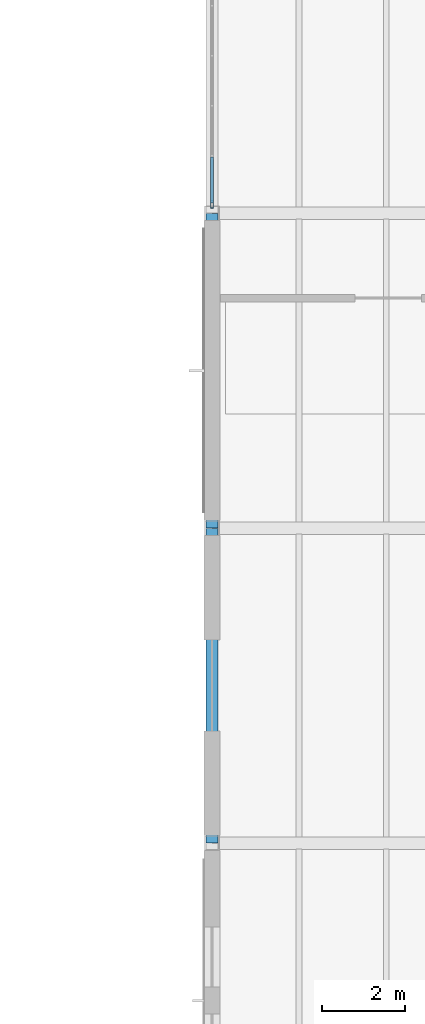
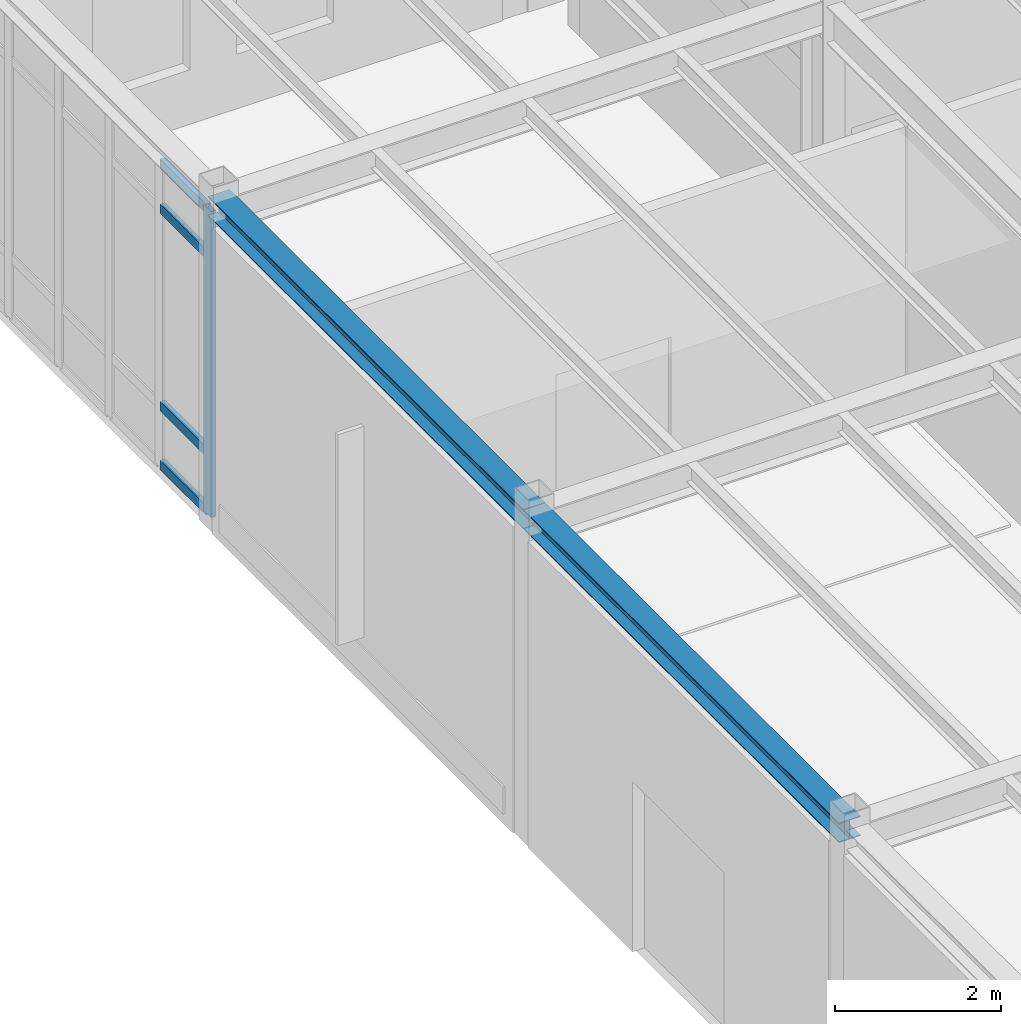
# One storey, part 56 of 109: 5 members, 2 beams, 1 element without a shape of its own.
"""IFC4 building model written with IfcOpenShell, lengths in metres."""

from ifc_helpers import new_model, si_unit, direction, frame, origin, origin_2d, place, context, subcontext, project, spatial, hollow_rectangle, i_section, extrude, material, layer, layer_set, material_profile, profile_set, type_object, element, aggregate, save


model = new_model("IFC4")

# Units and contexts
model_context = context("Model", 3, precision=1e-05, world=origin(), true_north=direction((0.0, 1.0)))
body_context = subcontext(model_context, "Body", "Model", "MODEL_VIEW")
ifc_project = project(units=[si_unit("LENGTHUNIT", "METRE"), si_unit("AREAUNIT", "SQUARE_METRE"), si_unit("VOLUMEUNIT", "CUBIC_METRE"), si_unit("PLANEANGLEUNIT", "RADIAN"), si_unit("MASSUNIT", "GRAM", prefix="KILO")], contexts=[model_context])

# Site, building, storey
site_placement = place(None, origin())
site = spatial("IfcSite", under=ifc_project, at=site_placement, CompositionType="ELEMENT")
building_placement = place(site_placement, origin())
building = spatial("IfcBuilding", under=site, at=building_placement, Name="Montecoro Central Library", CompositionType="ELEMENT")
storey_placement = place(building_placement, origin())
storey = spatial("IfcBuildingStorey", under=building, at=storey_placement, Name="L00", CompositionType="ELEMENT", Elevation=0.0)

# Beams
ifc_material_1 = material(Name="Steel S355", Category="steel")
ifc_material_profile_1 = material_profile(ifc_material_1, i_section(OverallWidth=0.300048828125, OverallDepth=0.2900390625, WebThickness=0.008544921875, FlangeThickness=0.013916015625, at=origin_2d()), Name="HEA 300")
ifc_profile_set_1 = profile_set([ifc_material_profile_1], Name="Steel S355")
beam_type = type_object("IfcBeamType", Name="BM-SP-HEA300", PredefinedType="SPANDREL", material=ifc_profile_set_1)
beam_1_placement = place(storey_placement, frame((66.39990234375, 96.205078125, 4.699951171875), z_axis=(0.0, 1.0, 0.0), x_axis=(-1.0, 0.0, 0.0)))
element("IfcBeam", 1, at=beam_1_placement, inside=storey, type_object=beam_type, Name="V2-L00-BY-9-NP", PredefinedType="SPANDREL", context=body_context, shape_type="SweptSolid", body=[
    extrude(i_section(OverallWidth=0.300048828125, OverallDepth=0.2900390625, WebThickness=0.008544921875, FlangeThickness=0.013916015625, at=origin_2d()), origin(), (0.0, 0.0, 1.0), 7.58984375),
])
beam_2_placement = place(storey_placement, frame((66.39990234375, 103.804931640625, 4.699951171875), z_axis=(0.0, 1.0, 0.0), x_axis=(-1.0, 0.0, 0.0)))
element("IfcBeam", 2, at=beam_2_placement, inside=storey, type_object=beam_type, Name="V2-L00-BY-9-PQ", PredefinedType="SPANDREL", context=body_context, shape_type="SweptSolid", body=[
    extrude(i_section(OverallWidth=0.300048828125, OverallDepth=0.2900390625, WebThickness=0.008544921875, FlangeThickness=0.013916015625, at=origin_2d()), origin(), (0.0, 0.0, 1.0), 7.590087890625),
])

# Curtain wall, members
ifc_material_2 = material(Name="Bronze-anodised aluminium and low-E glazing", Category="aluminium")
ifc_layer = layer(ifc_material_2, 0.159912109375)
ifc_layer_set = layer_set([ifc_layer], Name="Bronze-anodised aluminium and low-E glazing")
curtain_wall_type = type_object("IfcCurtainWallType", Name="CWT-009", PredefinedType="NOTDEFINED", material=ifc_layer_set)
curtain_wall_placement = place(storey_placement, origin())
curtain_wall = element("IfcCurtainWall", 3, at=curtain_wall_placement, inside=storey, type_object=curtain_wall_type, Name="V2-L00-CW-W4", PredefinedType="NOTDEFINED")
ifc_material_3 = material(Name="Bronze-anodised aluminium", Category="aluminium")
ifc_material_profile_2 = material_profile(ifc_material_3, hollow_rectangle(XDim=0.070068359375, YDim=0.179931640625, WallThickness=0.0048828125, at=origin_2d()), Name="CWM 180x70x5.0")
ifc_profile_set_2 = profile_set([ifc_material_profile_2], Name="Bronze-anodised aluminium")
member_type_1 = type_object("IfcMemberType", Name="CWM-BRZ-70", PredefinedType="MULLION", material=ifc_profile_set_2)
member_1_placement = place(storey_placement, frame((66.39990234375, 111.613037109375, 0.0), z_axis=(0.0, 0.0, 1.0), x_axis=(1.0, 0.0, 0.0)))
member_1 = element("IfcMember", 4, at=member_1_placement, type_object=member_type_1, Name="CW-009 mullion 7", PredefinedType="MULLION", context=body_context, shape_type="SweptSolid", body=[
    extrude(hollow_rectangle(XDim=0.070068359375, YDim=0.179931640625, WallThickness=0.0048828125, at=origin_2d()), origin(), (0.0, 0.0, 1.0), 4.5),
])
ifc_material_profile_3 = material_profile(ifc_material_3, hollow_rectangle(XDim=0.070068359375, YDim=0.139892578125, WallThickness=0.00390625, at=origin_2d()), Name="CWT 140x70x4.0")
ifc_profile_set_3 = profile_set([ifc_material_profile_3], Name="Bronze-anodised aluminium")
member_type_2 = type_object("IfcMemberType", Name="CWT-BRZ-70", PredefinedType="USERDEFINED", material=ifc_profile_set_3)
member_2_placement = place(storey_placement, frame((66.39990234375, 112.750244140625, 0.034912109375), z_axis=(0.0, -1.0, 0.0), x_axis=(1.0, 0.0, 0.0)))
member_2 = element("IfcMember", 5, at=member_2_placement, type_object=member_type_2, Name="CW-009 transom 6.1", ObjectType="TRANSOM", PredefinedType="USERDEFINED", context=body_context, shape_type="SweptSolid", body=[
    extrude(hollow_rectangle(XDim=0.070068359375, YDim=0.139892578125, WallThickness=0.00390625, at=origin_2d()), origin(), (0.0, 0.0, 1.0), 1.102294921875),
])
member_3_placement = place(storey_placement, frame((66.39990234375, 112.750244140625, 0.89990234375), z_axis=(0.0, -1.0, 0.0), x_axis=(1.0, 0.0, 0.0)))
member_3 = element("IfcMember", 6, at=member_3_placement, type_object=member_type_2, Name="CW-009 transom 6.2", ObjectType="TRANSOM", PredefinedType="USERDEFINED", context=body_context, shape_type="SweptSolid", body=[
    extrude(hollow_rectangle(XDim=0.070068359375, YDim=0.139892578125, WallThickness=0.00390625, at=origin_2d()), origin(), (0.0, 0.0, 1.0), 1.102294921875),
])
member_4_placement = place(storey_placement, frame((66.39990234375, 112.750244140625, 3.800048828125), z_axis=(0.0, -1.0, 0.0), x_axis=(1.0, 0.0, 0.0)))
member_4 = element("IfcMember", 7, at=member_4_placement, type_object=member_type_2, Name="CW-009 transom 6.3", ObjectType="TRANSOM", PredefinedType="USERDEFINED", context=body_context, shape_type="SweptSolid", body=[
    extrude(hollow_rectangle(XDim=0.070068359375, YDim=0.139892578125, WallThickness=0.00390625, at=origin_2d()), origin(), (0.0, 0.0, 1.0), 1.102294921875),
])
member_5_placement = place(storey_placement, frame((66.39990234375, 112.750244140625, 4.465087890625), z_axis=(0.0, -1.0, 0.0), x_axis=(1.0, 0.0, 0.0)))
member_5 = element("IfcMember", 8, at=member_5_placement, type_object=member_type_2, Name="CW-009 transom 6.4", ObjectType="TRANSOM", PredefinedType="USERDEFINED", context=body_context, shape_type="SweptSolid", body=[
    extrude(hollow_rectangle(XDim=0.070068359375, YDim=0.139892578125, WallThickness=0.00390625, at=origin_2d()), origin(), (0.0, 0.0, 1.0), 1.102294921875),
])
aggregate(curtain_wall, [member_1, member_2, member_3, member_4, member_5])

save(model, "model.ifc")
